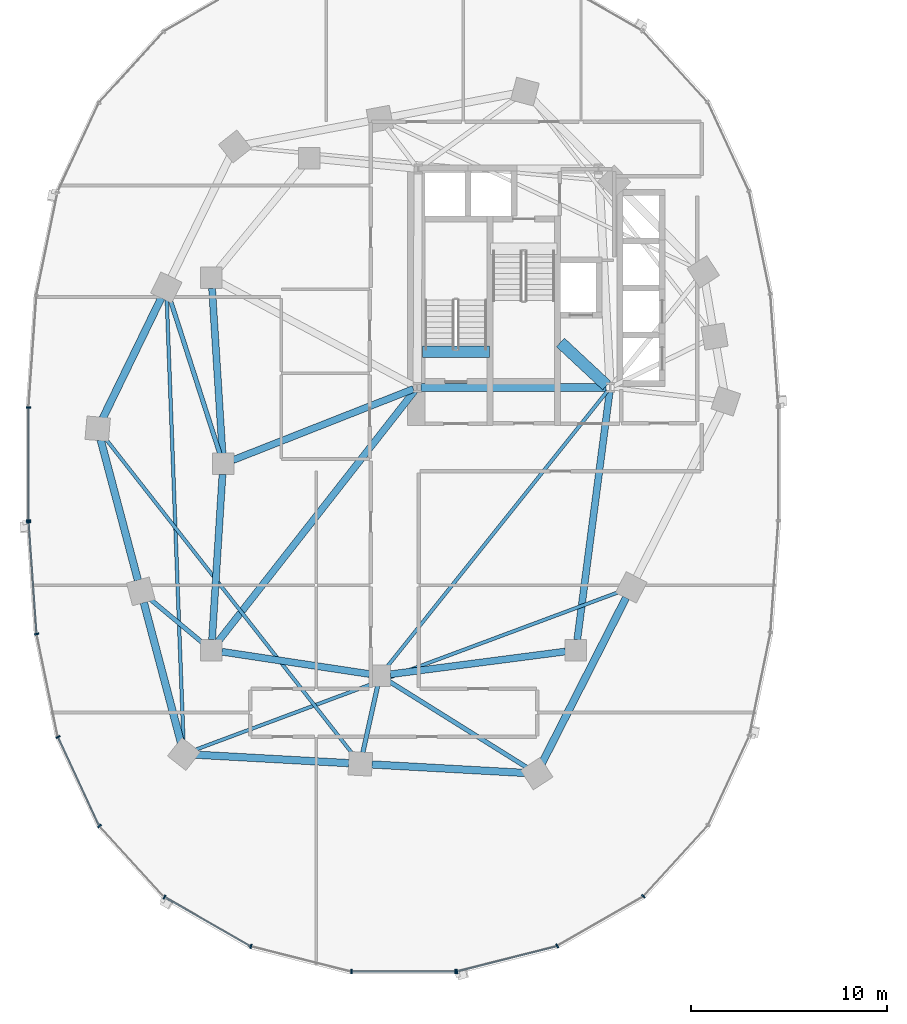
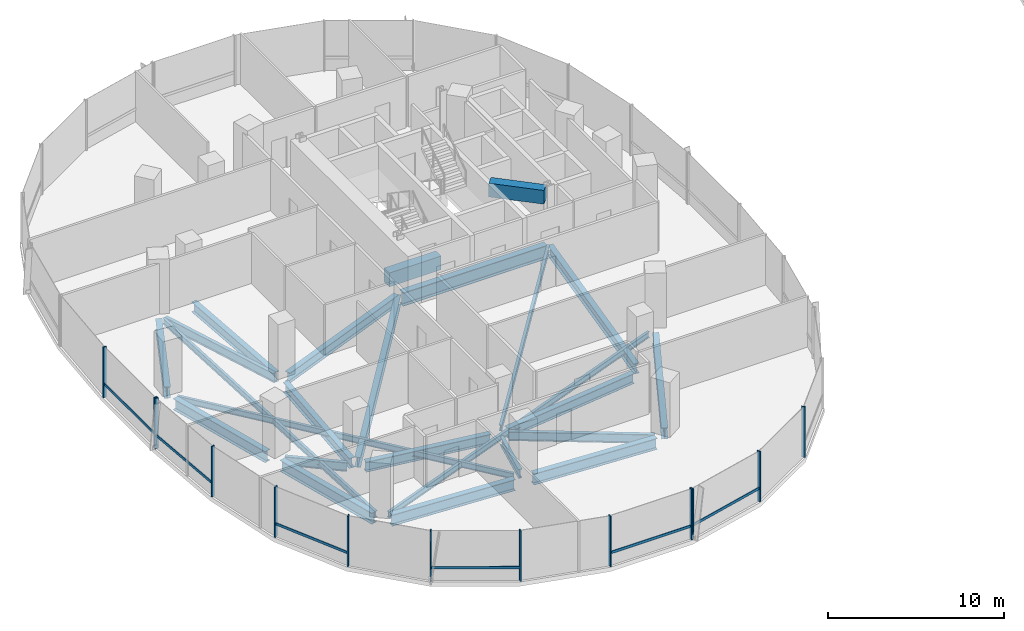
# One storey, part 2 of 22: 24 beams, 19 members, 3 elements without a shape of their own.
"""IFC4 building model written with IfcOpenShell, lengths in metres."""

import ifcopenshell
import ifcopenshell.guid

model = None  # the IFC model being written
_history = None  # IfcOwnerHistory: only IFC2X3 demands one
_inside = {}  # id of a spatial element -> (the spatial element, [elements in it])
_under = {}  # id of a project, library or spatial element -> (it, [spatial elements below it])
_declared = {}  # id of a project -> (the project, [libraries it declares])
_typed = {}  # id of a type object -> (the type object, [elements of that type])
_made_of = {}  # id of a material, layer set ... -> (it, [elements and type objects made of it])


def new_model(schema):
    """Start an empty IFC model of exactly this schema.

    Asked for "IFC4X3", IfcOpenShell would pick the latest addendum, in which some entities
    have other attributes; the version numbers below select the first issue.
    IFC2X3 requires an IfcOwnerHistory on every rooted entity: one is made here for all.
    """
    global model, _history
    if schema == "IFC4X3":
        model = ifcopenshell.file(schema_version=(4, 3, 0, 0))
    else:
        model = ifcopenshell.file(schema=schema)
    _inside.clear()
    _under.clear()
    _declared.clear()
    _typed.clear()
    _made_of.clear()
    _history = None
    if model.schema == "IFC2X3":
        org = make("IfcOrganization", Name="unknown")
        user = make(
            "IfcPersonAndOrganization",
            ThePerson=make("IfcPerson", FamilyName="unknown"),
            TheOrganization=org,
        )
        app = make(
            "IfcApplication",
            ApplicationDeveloper=org,
            Version="unknown",
            ApplicationFullName="unknown",
            ApplicationIdentifier="unknown",
        )
        _history = make(
            "IfcOwnerHistory",
            OwningUser=user,
            OwningApplication=app,
            ChangeAction="ADDED",
            CreationDate=0,
        )
    return model


def make(cls, **values):
    """One entity of the class cls with the attributes given. An attribute that is None is left unset."""
    return model.create_entity(
        cls, **{name: value for name, value in values.items() if value is not None}
    )


def rooted(cls, **values):
    """An entity with a GlobalId (a new one), such as an element, a storey or a relation."""
    return make(cls, GlobalId=ifcopenshell.guid.new(), OwnerHistory=_history, **values)


def si_unit(unit_type, name, prefix=None):
    """IfcSIUnit, for example si_unit("LENGTHUNIT", "METRE", prefix="MILLI")."""
    return make("IfcSIUnit", UnitType=unit_type, Prefix=prefix, Name=name)


def assignment(units):
    """IfcUnitAssignment: the units of a project."""
    return None if units is None else make("IfcUnitAssignment", Units=units)


def point(xyz):
    """IfcCartesianPoint."""
    return None if xyz is None else make("IfcCartesianPoint", Coordinates=xyz)


def direction(xyz):
    """IfcDirection."""
    return None if xyz is None else make("IfcDirection", DirectionRatios=xyz)


def frame(location, z_axis=None, x_axis=None):
    """IfcAxis2Placement3D, a coordinate frame: its origin and axes. An axis left out is left unset."""
    return make(
        "IfcAxis2Placement3D",
        Location=point(location),
        Axis=direction(z_axis),
        RefDirection=direction(x_axis),
    )


def frame_2d(location, x_axis=None):
    """IfcAxis2Placement2D, a coordinate frame in the plane: its origin and x axis."""
    return make(
        "IfcAxis2Placement2D", Location=point(location), RefDirection=direction(x_axis)
    )


def origin():
    """The frame at (0, 0, 0) with its axes left unset."""
    return frame((0.0, 0.0, 0.0))


def origin_2d():
    """The frame at (0, 0) in the plane with its x axis left unset."""
    return frame_2d((0.0, 0.0))


def place(relative_to, where):
    """IfcLocalPlacement: puts the frame where relative to a parent placement (None: the world)."""
    return make(
        "IfcLocalPlacement", PlacementRelTo=relative_to, RelativePlacement=where
    )


def context(
    kind, dimensions, precision=None, world=None, true_north=None, identifier=None
):
    """IfcGeometricRepresentationContext, for example the 3D "Model" context."""
    return make(
        "IfcGeometricRepresentationContext",
        ContextIdentifier=identifier,
        ContextType=kind,
        CoordinateSpaceDimension=dimensions,
        Precision=precision,
        WorldCoordinateSystem=world,
        TrueNorth=true_north,
    )


def subcontext(parent, identifier, kind, view, scale=None):
    """IfcGeometricRepresentationSubContext, for example "Body" below "Model"."""
    return make(
        "IfcGeometricRepresentationSubContext",
        ContextIdentifier=identifier,
        ContextType=kind,
        ParentContext=parent,
        TargetScale=scale,
        TargetView=view,
    )


def project(units=None, contexts=None):
    """IfcProject with its units and contexts."""
    return rooted(
        "IfcProject",
        Name="project",
        RepresentationContexts=contexts,
        UnitsInContext=assignment(units),
    )


def spatial(cls, under=None, at=None, **own):
    """A site, building, storey or space (cls), placed at a placement, below another one or the project."""
    s = rooted(cls, ObjectPlacement=at, **own)
    if under is not None:
        _under.setdefault(under.id(), (under, []))[1].append(s)
    return s


def profile(cls, at=None, kind="AREA", **sizes):
    """A parametric profile (cls). Its sizes go by their IFC names, for example OverallWidth=200.0."""
    return make(cls, ProfileType=kind, Position=at, **sizes)


def rectangle(**sizes):
    """IfcRectangleProfileDef."""
    return profile("IfcRectangleProfileDef", **sizes)


def i_section(**sizes):
    """IfcIShapeProfileDef."""
    return profile("IfcIShapeProfileDef", **sizes)


def extrude(swept, where, along, depth):
    """IfcExtrudedAreaSolid: the profile swept, set in the frame where, extruded along a direction by depth."""
    return make(
        "IfcExtrudedAreaSolid",
        SweptArea=swept,
        Position=where,
        ExtrudedDirection=direction(along),
        Depth=depth,
    )


def shape(context_of_items, identifier, shape_type, items):
    """IfcShapeRepresentation: the items that make up one representation, for example the "Body"."""
    return make(
        "IfcShapeRepresentation",
        ContextOfItems=context_of_items,
        RepresentationIdentifier=identifier,
        RepresentationType=shape_type,
        Items=items,
    )


def material(Name=None, Category=None):
    """IfcMaterial."""
    return make("IfcMaterial", Name=Name, Category=Category)


def material_profile(
    of_material, cross_section, Name=None, Category=None, Priority=None
):
    """IfcMaterialProfile: a cross section and its material."""
    return make(
        "IfcMaterialProfile",
        Name=Name,
        Material=of_material,
        Profile=cross_section,
        Priority=Priority,
        Category=Category,
    )


def profile_set(profiles, Name=None, composite=None):
    """IfcMaterialProfileSet."""
    return make(
        "IfcMaterialProfileSet",
        Name=Name,
        MaterialProfiles=profiles,
        CompositeProfile=composite,
    )


def made_of(thing, what):
    """Note that an element or type object is made of a material, layer set ...; save() writes the relation."""
    if what is not None:
        _made_of.setdefault(what.id(), (what, []))[1].append(thing)
    return thing


def type_object(cls, material=None, **own):
    """A type object (cls), such as IfcWallType, which elements share."""
    return made_of(rooted(cls, **own), material)


def element(
    cls,
    number,
    at=None,
    inside=None,
    cuts=None,
    type_object=None,
    material=None,
    context=None,
    identifier="Body",
    shape_type=None,
    held_by="IfcProductDefinitionShape",
    body=None,
    shapes=None,
    **own,
):
    """One element of the class cls, such as IfcWall. Its Tag is "e" and its number.

    at: its placement. inside: the storey or other place that contains it. cuts: it is an
    opening in that element (IfcRelVoidsElement). A single representation is given by context,
    identifier, shape_type and body (its items); several are given by shapes. held_by: the class
    of the entity that holds the representations. save() writes the other relations.
    """
    e = rooted(cls, Tag="e%d" % number, ObjectPlacement=at, **own)
    if body is not None:
        shapes = [shape(context, identifier, shape_type, body)]
    if shapes is not None:
        e.Representation = make(held_by, Representations=shapes)
    if inside is not None:
        _inside.setdefault(inside.id(), (inside, []))[1].append(e)
    if cuts is not None:
        rooted(
            "IfcRelVoidsElement", RelatingBuildingElement=cuts, RelatedOpeningElement=e
        )
    if type_object is not None:
        _typed.setdefault(type_object.id(), (type_object, []))[1].append(e)
    return made_of(e, material)


def aggregate(whole, parts):
    """IfcRelAggregates: a whole, such as a stair, and the parts it consists of."""
    return rooted("IfcRelAggregates", RelatingObject=whole, RelatedObjects=parts)


def save(model, path):
    """Write the relations noted so far, then the file.

    IfcRelAggregates (storeys below a building ...), IfcRelContainedInSpatialStructure (elements
    in a storey), IfcRelDefinesByType, IfcRelAssociatesMaterial and IfcRelDeclares: one each for
    every whole, place, type object, material and project.
    """
    for whole, parts in _under.values():
        aggregate(whole, parts)
    for where, things in _inside.values():
        rooted(
            "IfcRelContainedInSpatialStructure",
            RelatedElements=things,
            RelatingStructure=where,
        )
    for kind, things in _typed.values():
        rooted("IfcRelDefinesByType", RelatedObjects=things, RelatingType=kind)
    for what, things in _made_of.values():
        rooted("IfcRelAssociatesMaterial", RelatedObjects=things, RelatingMaterial=what)
    for by, libraries in _declared.values():
        rooted("IfcRelDeclares", RelatingContext=by, RelatedDefinitions=libraries)
    model.write(path)


model = new_model("IFC4")

# Units and contexts
model_context = context("Model", 3, precision=1e-05, world=origin(), true_north=direction((0.0, 1.0)))
body_context = subcontext(model_context, "Body", "Model", "MODEL_VIEW")
ifc_project = project(units=[si_unit("LENGTHUNIT", "METRE"), si_unit("AREAUNIT", "SQUARE_METRE"), si_unit("VOLUMEUNIT", "CUBIC_METRE"), si_unit("PLANEANGLEUNIT", "RADIAN"), si_unit("MASSUNIT", "GRAM", prefix="KILO"), si_unit("THERMODYNAMICTEMPERATUREUNIT", "KELVIN"), si_unit("POWERUNIT", "WATT")], contexts=[model_context])

# Site, building, storey
site_placement = place(None, origin())
site = spatial("IfcSite", under=ifc_project, at=site_placement, CompositionType="ELEMENT")
building_placement = place(site_placement, origin())
building = spatial("IfcBuilding", under=site, at=building_placement, Name="Cundina Bronze Exchange", CompositionType="ELEMENT")
storey_placement = place(building_placement, frame((0.0, 0.0, 43.0)))
storey = spatial("IfcBuildingStorey", under=building, at=storey_placement, Name="L10", CompositionType="ELEMENT", Elevation=43.0)

# Beams
ifc_material_1 = material(Name="Concrete C60/75", Category="concrete")
ifc_material_profile_1 = material_profile(ifc_material_1, rectangle(XDim=0.60009765625, YDim=0.949951171875, at=origin_2d()), Name="RC600X950", Category="concrete")
ifc_profile_set_1 = profile_set([ifc_material_profile_1], Name="Concrete C60/75")
beam_type_1 = type_object("IfcBeamType", Name="BM-COUP-RC950", PredefinedType="LINTEL", material=ifc_profile_set_1)
beam_1_placement = place(storey_placement, frame((-31.02001953125, 5.719970703125, -0.47509765625), z_axis=(1.0, 0.0, 0.0), x_axis=(0.0, 1.0, 0.0)))
element("IfcBeam", 1, at=beam_1_placement, inside=storey, type_object=beam_type_1, Name="L10 Stair W1 Landing Header Beam", PredefinedType="LINTEL", context=body_context, shape_type="SweptSolid", body=[
    extrude(rectangle(XDim=0.60009765625, YDim=0.949951171875, at=origin_2d()), origin(), (0.0, 0.0, 1.0), 3.39990234375),
])
beam_2_placement = place(storey_placement, frame((-23.989990234375, 6.199951171875, 3.02490234375), z_axis=(0.731490439815, -0.681851696822, 0.0), x_axis=(0.681851696822, 0.731490439815, 0.0)))
element("IfcBeam", 2, at=beam_2_placement, inside=storey, type_object=beam_type_1, Name="L10 W Core Shear Coupling Lintel Beam", PredefinedType="LINTEL", context=body_context, shape_type="SweptSolid", body=[
    extrude(rectangle(XDim=0.60009765625, YDim=0.949951171875, at=origin_2d()), origin(), (0.0, 0.0, 1.0), 3.226318359375),
])
ifc_material_2 = material(Name="Steel ASTM A992 Grade 50", Category="steel")
ifc_material_profile_2 = material_profile(ifc_material_2, i_section(OverallWidth=0.22998046875, OverallDepth=0.616943359375, WebThickness=0.01318359375, FlangeThickness=0.022216796875, FilletRadius=0.013916015625, at=origin_2d()), Name="W24X94", Category="steel")
ifc_profile_set_2 = profile_set([ifc_material_profile_2], Name="Steel ASTM A992 Grade 50")
beam_type_2 = type_object("IfcBeamType", Name="BM-FLR-W24B", PredefinedType="BEAM", material=ifc_profile_set_2)
beam_3_placement = place(storey_placement, frame((-41.364990234375, 0.51220703125, -0.6083984375), z_axis=(-0.306706454167, 0.951804155787, 0.0), x_axis=(-0.951804155787, -0.306706454167, 0.0)))
element("IfcBeam", 3, at=beam_3_placement, inside=storey, type_object=beam_type_2, Name="L10 Leg W Radial Floor Beam 07", PredefinedType="BEAM", context=body_context, shape_type="SweptSolid", body=[
    extrude(i_section(OverallWidth=0.22998046875, OverallDepth=0.616943359375, WebThickness=0.01318359375, FlangeThickness=0.022216796875, FilletRadius=0.013916015625, at=origin_2d()), origin(), (0.0, 0.0, 1.0), 8.329345703125),
])
beam_4_placement = place(storey_placement, frame((-42.21337890625, -9.155517578125, -0.6083984375), z_axis=(-0.768221279597, 0.640184399664, 0.0), x_axis=(-0.640184399664, -0.768221279597, 0.0)))
element("IfcBeam", 4, at=beam_4_placement, inside=storey, type_object=beam_type_2, Name="L10 Leg W Radial Floor Beam 09", PredefinedType="BEAM", context=body_context, shape_type="SweptSolid", body=[
    extrude(i_section(OverallWidth=0.22998046875, OverallDepth=0.616943359375, WebThickness=0.01318359375, FlangeThickness=0.022216796875, FilletRadius=0.013916015625, at=origin_2d()), origin(), (0.0, 0.0, 1.0), 3.56005859375),
])
beam_5_placement = place(storey_placement, frame((-33.316650390625, -11.3251953125, -0.6083984375), z_axis=(-0.216960137628, -0.976180464197, 0.0), x_axis=(0.976180464197, -0.216960137628, 0.0)))
element("IfcBeam", 5, at=beam_5_placement, inside=storey, type_object=beam_type_2, Name="L10 Leg W Radial Floor Beam 11", PredefinedType="BEAM", context=body_context, shape_type="SweptSolid", body=[
    extrude(i_section(OverallWidth=0.22998046875, OverallDepth=0.616943359375, WebThickness=0.01318359375, FlangeThickness=0.022216796875, FilletRadius=0.013916015625, at=origin_2d()), origin(), (0.0, 0.0, 1.0), 3.48388671875),
])
beam_6_placement = place(storey_placement, frame((-32.743896484375, -11.085205078125, -0.6083984375), z_axis=(0.848014812458, -0.529972525563, 0.0), x_axis=(0.529972525563, 0.848014812458, 0.0)))
element("IfcBeam", 6, at=beam_6_placement, inside=storey, type_object=beam_type_2, Name="L10 Leg W Radial Floor Beam 12", PredefinedType="BEAM", context=body_context, shape_type="SweptSolid", body=[
    extrude(i_section(OverallWidth=0.22998046875, OverallDepth=0.616943359375, WebThickness=0.01318359375, FlangeThickness=0.022216796875, FilletRadius=0.013916015625, at=origin_2d()), origin(), (0.0, 0.0, 1.0), 8.30810546875),
])
ifc_material_profile_3 = material_profile(ifc_material_2, i_section(OverallWidth=0.178955078125, OverallDepth=0.409912109375, WebThickness=0.0087890625, FlangeThickness=0.014404296875, FilletRadius=0.010986328125, at=origin_2d()), Name="W16X45", Category="steel")
ifc_profile_set_3 = profile_set([ifc_material_profile_3], Name="Steel ASTM A992 Grade 50")
beam_type_3 = type_object("IfcBeamType", Name="BM-JST-W16", PredefinedType="JOIST", material=ifc_profile_set_3)
beam_7_placement = place(storey_placement, frame((-21.577392578125, 3.740478515625, -0.5048828125), z_axis=(-0.62436887964, -0.781129632095, 0.0), x_axis=(0.781129632095, -0.62436887964, 0.0)))
element("IfcBeam", 7, at=beam_7_placement, inside=storey, type_object=beam_type_3, Name="L10 W Interior Core-to-Ring Joist 2", PredefinedType="JOIST", context=body_context, shape_type="SweptSolid", body=[
    extrude(i_section(OverallWidth=0.178955078125, OverallDepth=0.409912109375, WebThickness=0.0087890625, FlangeThickness=0.014404296875, FilletRadius=0.010986328125, at=origin_2d()), origin(), (0.0, 0.0, 1.0), 18.076904296875),
])
beam_8_placement = place(storey_placement, frame((-44.077880859375, 8.412353515625, -0.5048828125), z_axis=(0.037794949147, -0.999285515666, 0.0), x_axis=(0.999285515666, 0.037794949147, 0.0)))
element("IfcBeam", 8, at=beam_8_placement, inside=storey, type_object=beam_type_3, Name="L10 Leg W Lobe Floor Joist 07-10", PredefinedType="JOIST", context=body_context, shape_type="SweptSolid", body=[
    extrude(i_section(OverallWidth=0.178955078125, OverallDepth=0.409912109375, WebThickness=0.0087890625, FlangeThickness=0.014404296875, FilletRadius=0.010986328125, at=origin_2d()), origin(), (0.0, 0.0, 1.0), 22.640869140625),
])
beam_9_placement = place(storey_placement, frame((-47.2373046875, 1.337158203125, -0.5048828125), z_axis=(0.616803089524, -0.787117493614, 0.0), x_axis=(0.787117493614, 0.616803089524, 0.0)))
element("IfcBeam", 9, at=beam_9_placement, inside=storey, type_object=beam_type_3, Name="L10 Leg W Lobe Floor Joist 08-11", PredefinedType="JOIST", context=body_context, shape_type="SweptSolid", body=[
    extrude(i_section(OverallWidth=0.178955078125, OverallDepth=0.409912109375, WebThickness=0.0087890625, FlangeThickness=0.014404296875, FilletRadius=0.010986328125, at=origin_2d()), origin(), (0.0, 0.0, 1.0), 20.548828125),
])
beam_10_placement = place(storey_placement, frame((-42.64892578125, -14.5947265625, -0.5048828125), z_axis=(0.937127912449, 0.348986068074, 0.0), x_axis=(-0.348986068074, 0.937127912449, 0.0)))
element("IfcBeam", 10, at=beam_10_placement, inside=storey, type_object=beam_type_3, Name="L10 Leg W Lobe Floor Joist 10-13", PredefinedType="JOIST", context=body_context, shape_type="SweptSolid", body=[
    extrude(i_section(OverallWidth=0.178955078125, OverallDepth=0.409912109375, WebThickness=0.0087890625, FlangeThickness=0.014404296875, FilletRadius=0.010986328125, at=origin_2d()), origin(), (0.0, 0.0, 1.0), 23.18017578125),
])
ifc_material_profile_4 = material_profile(ifc_material_2, i_section(OverallWidth=0.35498046875, OverallDepth=0.695068359375, WebThickness=0.015380859375, FlangeThickness=0.02490234375, FilletRadius=0.01806640625, at=origin_2d()), Name="W27X146", Category="steel")
ifc_profile_set_4 = profile_set([ifc_material_profile_4], Name="Steel ASTM A992 Grade 50")
beam_type_4 = type_object("IfcBeamType", Name="BM-RING-W27", PredefinedType="USERDEFINED", material=ifc_profile_set_4)
for number, where, z_axis, x_axis, name in (
    (11, (-41.76611328125, 8.963134765625, -0.6474609375), (0.06303715519, -0.998011180832, 0.0), (0.998011180832, 0.06303715519, 0.0), "L10 W Inner Structural Ring Girder 03"),
    (12, (-41.23388671875, -0.536865234375, -0.6474609375), (-0.06303715519, -0.998011180832, 0.0), (0.998011180832, -0.06303715519, 0.0), "L10 W Inner Structural Ring Girder 04"),
):
    element("IfcBeam", number, at=place(storey_placement, frame(where, z_axis=z_axis, x_axis=x_axis)), inside=storey, type_object=beam_type_4, Name=name, ObjectType="GIRDER", PredefinedType="USERDEFINED", context=body_context, shape_type="SweptSolid", body=[
        extrude(i_section(OverallWidth=0.35498046875, OverallDepth=0.695068359375, WebThickness=0.015380859375, FlangeThickness=0.02490234375, FilletRadius=0.01806640625, at=origin_2d()), origin(), (0.0, 0.0, 1.0), 8.443115234375),
    ])
beam_11_placement = place(storey_placement, frame((-41.26806640625, -9.580322265625, -0.6474609375), z_axis=(0.988767489563, -0.149461873341, 0.0), x_axis=(0.149461873341, 0.988767489563, 0.0)))
element("IfcBeam", 13, at=beam_11_placement, inside=storey, type_object=beam_type_4, Name="L10 W Inner Structural Ring Girder 05", ObjectType="GIRDER", PredefinedType="USERDEFINED", context=body_context, shape_type="SweptSolid", body=[
    extrude(i_section(OverallWidth=0.35498046875, OverallDepth=0.695068359375, WebThickness=0.015380859375, FlangeThickness=0.02490234375, FilletRadius=0.01806640625, at=origin_2d()), origin(), (0.0, 0.0, 1.0), 7.621826171875),
])
beam_12_placement = place(storey_placement, frame((-32.66650390625, -10.730712890625, -0.6474609375), z_axis=(0.991654577907, 0.128923225666, 0.0), x_axis=(-0.128923225666, 0.991654577907, 0.0)))
element("IfcBeam", 14, at=beam_12_placement, inside=storey, type_object=beam_type_4, Name="L10 W Inner Structural Ring Girder 06", ObjectType="GIRDER", PredefinedType="USERDEFINED", context=body_context, shape_type="SweptSolid", body=[
    extrude(i_section(OverallWidth=0.35498046875, OverallDepth=0.695068359375, WebThickness=0.015380859375, FlangeThickness=0.02490234375, FilletRadius=0.01806640625, at=origin_2d()), origin(), (0.0, 0.0, 1.0), 9.00830078125),
])
beam_13_placement = place(storey_placement, frame((-23.13037109375, -8.966552734375, -0.6474609375), z_axis=(0.129507526533, 0.99157843894, 0.0), x_axis=(-0.99157843894, 0.129507526533, 0.0)))
element("IfcBeam", 15, at=beam_13_placement, inside=storey, type_object=beam_type_4, Name="L10 W Inner Structural Ring Girder 07", ObjectType="GIRDER", PredefinedType="USERDEFINED", context=body_context, shape_type="SweptSolid", body=[
    extrude(i_section(OverallWidth=0.35498046875, OverallDepth=0.695068359375, WebThickness=0.015380859375, FlangeThickness=0.02490234375, FilletRadius=0.01806640625, at=origin_2d()), origin(), (0.0, 0.0, 1.0), 12.77197265625),
])
beam_14_placement = place(storey_placement, frame((-31.48974609375, 3.8251953125, -0.6474609375), z_axis=(-0.930413235418, -0.366512225388, 0.0), x_axis=(0.366512225388, -0.930413235418, 0.0)))
element("IfcBeam", 16, at=beam_14_placement, inside=storey, type_object=beam_type_4, Name="L10 W Core-to-Waist Tie Beam 1", ObjectType="GIRDER", PredefinedType="USERDEFINED", context=body_context, shape_type="SweptSolid", body=[
    extrude(i_section(OverallWidth=0.35498046875, OverallDepth=0.695068359375, WebThickness=0.015380859375, FlangeThickness=0.02490234375, FilletRadius=0.01806640625, at=origin_2d()), origin(), (0.0, 0.0, 1.0), 9.8984375),
])
beam_15_placement = place(storey_placement, frame((-31.42578125, 3.739501953125, -0.6474609375), z_axis=(-0.616789275748, -0.787128318206, 0.0), x_axis=(0.787128318206, -0.616789275748, 0.0)))
element("IfcBeam", 17, at=beam_15_placement, inside=storey, type_object=beam_type_4, Name="L10 W Core-to-Waist Tie Beam 3", ObjectType="GIRDER", PredefinedType="USERDEFINED", context=body_context, shape_type="SweptSolid", body=[
    extrude(i_section(OverallWidth=0.35498046875, OverallDepth=0.695068359375, WebThickness=0.015380859375, FlangeThickness=0.02490234375, FilletRadius=0.01806640625, at=origin_2d()), origin(), (0.0, 0.0, 1.0), 16.281982421875),
])
ifc_material_profile_5 = material_profile(ifc_material_2, i_section(OverallWidth=0.381103515625, OverallDepth=0.77294921875, WebThickness=0.0166015625, FlangeThickness=0.027099609375, FilletRadius=0.01904296875, at=origin_2d()), Name="W30X173", Category="steel")
ifc_profile_set_5 = profile_set([ifc_material_profile_5], Name="Steel ASTM A992 Grade 50")
beam_type_5 = type_object("IfcBeamType", Name="BM-RING-W30", PredefinedType="USERDEFINED", material=ifc_profile_set_5)
beam_16_placement = place(storey_placement, frame((-44.357177734375, 8.47119140625, -0.6865234375), z_axis=(-0.437190698904, -0.899368830231, 0.0), x_axis=(0.899368830231, -0.437190698904, 0.0)))
element("IfcBeam", 18, at=beam_16_placement, inside=storey, type_object=beam_type_5, Name="L10 W Perimeter Ring Girder 07", ObjectType="GIRDER", PredefinedType="USERDEFINED", context=body_context, shape_type="SweptSolid", body=[
    extrude(i_section(OverallWidth=0.381103515625, OverallDepth=0.77294921875, WebThickness=0.0166015625, FlangeThickness=0.027099609375, FilletRadius=0.01904296875, at=origin_2d()), origin(), (0.0, 0.0, 1.0), 6.82958984375),
])
for number, where, z_axis, x_axis, name in (
    (19, (-47.44921875, 1.231689453125, -0.6865234375), (0.256177785604, -0.966629682021, 0.0), (0.966629682021, 0.256177785604, 0.0), "L10 W Perimeter Ring Girder 08"),
    (20, (-45.249267578125, -7.068359375, -0.6865234375), (0.256208567826, -0.966621523541, 0.0), (0.966621523541, 0.256208567826, 0.0), "L10 W Perimeter Ring Girder 09"),
):
    element("IfcBeam", number, at=place(storey_placement, frame(where, z_axis=z_axis, x_axis=x_axis)), inside=storey, type_object=beam_type_5, Name=name, ObjectType="GIRDER", PredefinedType="USERDEFINED", context=body_context, shape_type="SweptSolid", body=[
        extrude(i_section(OverallWidth=0.381103515625, OverallDepth=0.77294921875, WebThickness=0.0166015625, FlangeThickness=0.027099609375, FilletRadius=0.01904296875, at=origin_2d()), origin(), (0.0, 0.0, 1.0), 7.41064453125),
    ])
for number, where, z_axis, x_axis, name in (
    (21, (-42.61279296875, -14.83251953125, -0.6865234375), (0.998459969805, -0.055476920391, 0.0), (0.055476920391, 0.998459969805, 0.0), "L10 W Perimeter Ring Girder 10"),
    (22, (-33.61279296875, -15.33251953125, -0.6865234375), (0.998459969805, -0.055476920391, 0.0), (0.055476920391, 0.998459969805, 0.0), "L10 W Perimeter Ring Girder 11"),
):
    element("IfcBeam", number, at=place(storey_placement, frame(where, z_axis=z_axis, x_axis=x_axis)), inside=storey, type_object=beam_type_5, Name=name, ObjectType="GIRDER", PredefinedType="USERDEFINED", context=body_context, shape_type="SweptSolid", body=[
        extrude(i_section(OverallWidth=0.381103515625, OverallDepth=0.77294921875, WebThickness=0.0166015625, FlangeThickness=0.027099609375, FilletRadius=0.01904296875, at=origin_2d()), origin(), (0.0, 0.0, 1.0), 7.837646484375),
    ])
beam_17_placement = place(storey_placement, frame((-24.93359375, -15.275634765625, -0.6865234375), z_axis=(0.452819633606, 0.891602141889, 0.0), x_axis=(-0.891602141889, 0.452819633606, 0.0)))
element("IfcBeam", 23, at=beam_17_placement, inside=storey, type_object=beam_type_5, Name="L10 W Perimeter Ring Girder 12", ObjectType="GIRDER", PredefinedType="USERDEFINED", context=body_context, shape_type="SweptSolid", body=[
    extrude(i_section(OverallWidth=0.381103515625, OverallDepth=0.77294921875, WebThickness=0.0166015625, FlangeThickness=0.027099609375, FilletRadius=0.01904296875, at=origin_2d()), origin(), (0.0, 0.0, 1.0), 9.47900390625),
])
ifc_material_profile_6 = material_profile(ifc_material_2, i_section(OverallWidth=0.41796875, OverallDepth=0.927001953125, WebThickness=0.019287109375, FlangeThickness=0.031982421875, FilletRadius=0.02392578125, at=origin_2d()), Name="W36X231", Category="steel")
ifc_profile_set_6 = profile_set([ifc_material_profile_6], Name="Steel ASTM A992 Grade 50")
beam_type_6 = type_object("IfcBeamType", Name="BM-WRN-W36B", PredefinedType="USERDEFINED", material=ifc_profile_set_6)
beam_18_placement = place(storey_placement, frame((-31.095947265625, 3.89990234375, -0.763427734375), z_axis=(1.0, 0.0, 0.0), x_axis=(0.0, 1.0, 0.0)))
element("IfcBeam", 24, at=beam_18_placement, inside=storey, type_object=beam_type_6, Name="L10 W Core Perimeter Tie Girder 1", ObjectType="GIRDER", PredefinedType="USERDEFINED", context=body_context, shape_type="SweptSolid", body=[
    extrude(i_section(OverallWidth=0.41796875, OverallDepth=0.927001953125, WebThickness=0.019287109375, FlangeThickness=0.031982421875, FilletRadius=0.02392578125, at=origin_2d()), origin(), (0.0, 0.0, 1.0), 9.44189453125),
])

# Curtain wall, members
ifc_material_3 = material(Name="Anodised Bronze Aluminium 6063-T6", Category="aluminium")
curtain_wall_type = type_object("IfcCurtainWallType", Name="CWS-TRD-LOW", PredefinedType="NOTDEFINED", material=ifc_material_3)
curtain_wall_1_placement = place(storey_placement, origin())
curtain_wall_1 = element("IfcCurtainWall", 25, at=curtain_wall_1_placement, inside=storey, type_object=curtain_wall_type, Name="L10 CW-02 Curtain Wall Run CWR-L10-W2", PredefinedType="NOTDEFINED")
ifc_material_profile_7 = material_profile(ifc_material_3, rectangle(XDim=0.074951171875, YDim=0.219970703125, at=origin_2d()), Name="AL75X220", Category="aluminium")
ifc_profile_set_7 = profile_set([ifc_material_profile_7], Name="Anodised Bronze Aluminium 6063-T6")
member_type_1 = type_object("IfcMemberType", Name="CWM-MUL-220", PredefinedType="MULLION", material=ifc_profile_set_7)
member_1_placement = place(storey_placement, frame((-51.1279296875, 2.880615234375, 0.0), z_axis=(0.0, 0.0, 1.0), x_axis=(0.0, -1.0, 0.0)))
member_1 = element("IfcMember", 26, at=member_1_placement, type_object=member_type_1, Name="CW-02 Mullion 7", PredefinedType="MULLION", context=body_context, shape_type="SweptSolid", body=[
    extrude(rectangle(XDim=0.074951171875, YDim=0.219970703125, at=origin_2d()), origin(), (0.0, 0.0, 1.0), 3.5),
])
member_2_placement = place(storey_placement, frame((-51.1279296875, -2.880615234375, 0.0), z_axis=(0.0, 0.0, 1.0), x_axis=(0.0, -1.0, 0.0)))
member_2 = element("IfcMember", 27, at=member_2_placement, type_object=member_type_1, Name="CW-02 End Mullion", PredefinedType="MULLION", context=body_context, shape_type="SweptSolid", body=[
    extrude(rectangle(XDim=0.074951171875, YDim=0.219970703125, at=origin_2d()), origin(), (0.0, 0.0, 1.0), 3.5),
])

curtain_wall_2_placement = place(storey_placement, origin())
curtain_wall_2 = element("IfcCurtainWall", 28, at=curtain_wall_2_placement, inside=storey, type_object=curtain_wall_type, Name="L10 CW-02 Curtain Wall Run CWR-L10-W3", PredefinedType="NOTDEFINED")
member_3_placement = place(storey_placement, frame((-51.12451171875, -2.976318359375, 0.0), z_axis=(0.0, 0.0, 1.0), x_axis=(0.070278787473, -0.997527389113, 0.0)))
member_3 = element("IfcMember", 29, at=member_3_placement, type_object=member_type_1, Name="CW-02 Mullion 1", PredefinedType="MULLION", context=body_context, shape_type="SweptSolid", body=[
    extrude(rectangle(XDim=0.074951171875, YDim=0.219970703125, at=origin_2d()), origin(), (0.0, 0.0, 1.0), 3.5),
])
member_4_placement = place(storey_placement, frame((-50.717041015625, -8.67822265625, 0.0), z_axis=(0.0, 0.0, 1.0), x_axis=(0.201419845156, -0.979505000486, 0.0)))
member_4 = element("IfcMember", 30, at=member_4_placement, type_object=member_type_1, Name="CW-02 Mullion 2", PredefinedType="MULLION", context=body_context, shape_type="SweptSolid", body=[
    extrude(rectangle(XDim=0.074951171875, YDim=0.219970703125, at=origin_2d()), origin(), (0.0, 0.0, 1.0), 3.5),
])
member_5_placement = place(storey_placement, frame((-49.6279296875, -13.931884765625, 0.0), z_axis=(0.0, 0.0, 1.0), x_axis=(0.42087749791, -0.907117485088, 0.0)))
member_5 = element("IfcMember", 31, at=member_5_placement, type_object=member_type_1, Name="CW-02 Mullion 3", PredefinedType="MULLION", context=body_context, shape_type="SweptSolid", body=[
    extrude(rectangle(XDim=0.074951171875, YDim=0.219970703125, at=origin_2d()), origin(), (0.0, 0.0, 1.0), 3.5),
])
member_6_placement = place(storey_placement, frame((-47.508544921875, -18.47705078125, 0.0), z_axis=(0.0, 0.0, 1.0), x_axis=(0.674302387584, -0.738455340626, 0.0)))
member_6 = element("IfcMember", 32, at=member_6_placement, type_object=member_type_1, Name="CW-02 Mullion 4", PredefinedType="MULLION", context=body_context, shape_type="SweptSolid", body=[
    extrude(rectangle(XDim=0.074951171875, YDim=0.219970703125, at=origin_2d()), origin(), (0.0, 0.0, 1.0), 3.5),
])
member_7_placement = place(storey_placement, frame((-44.189697265625, -22.097412109375, 0.0), z_axis=(0.0, 0.0, 1.0), x_axis=(0.867070701164, -0.498185105339, 0.0)))
member_7 = element("IfcMember", 33, at=member_7_placement, type_object=member_type_1, Name="CW-02 Mullion 5", PredefinedType="MULLION", context=body_context, shape_type="SweptSolid", body=[
    extrude(rectangle(XDim=0.074951171875, YDim=0.219970703125, at=origin_2d()), origin(), (0.0, 0.0, 1.0), 3.5),
])
member_8_placement = place(storey_placement, frame((-39.78515625, -24.61669921875, 0.0), z_axis=(0.0, 0.0, 1.0), x_axis=(0.969488149345, -0.245138182011, 0.0)))
member_8 = element("IfcMember", 34, at=member_8_placement, type_object=member_type_1, Name="CW-02 Mullion 6", PredefinedType="MULLION", context=body_context, shape_type="SweptSolid", body=[
    extrude(rectangle(XDim=0.074951171875, YDim=0.219970703125, at=origin_2d()), origin(), (0.0, 0.0, 1.0), 3.5),
])
member_9_placement = place(storey_placement, frame((-34.654541015625, -25.905029296875, 0.0), z_axis=(0.0, 0.0, 1.0), x_axis=(1.0, 0.0, 0.0)))
member_9 = element("IfcMember", 35, at=member_9_placement, type_object=member_type_1, Name="CW-02 Mullion 7", PredefinedType="MULLION", context=body_context, shape_type="SweptSolid", body=[
    extrude(rectangle(XDim=0.074951171875, YDim=0.219970703125, at=origin_2d()), origin(), (0.0, 0.0, 1.0), 3.5),
])
member_10_placement = place(storey_placement, frame((-29.345458984375, -25.905029296875, 0.0), z_axis=(0.0, 0.0, 1.0), x_axis=(1.0, 0.0, 0.0)))
member_10 = element("IfcMember", 36, at=member_10_placement, type_object=member_type_1, Name="CW-02 End Mullion", PredefinedType="MULLION", context=body_context, shape_type="SweptSolid", body=[
    extrude(rectangle(XDim=0.074951171875, YDim=0.219970703125, at=origin_2d()), origin(), (0.0, 0.0, 1.0), 3.5),
])

curtain_wall_3_placement = place(storey_placement, origin())
curtain_wall_3 = element("IfcCurtainWall", 37, at=curtain_wall_3_placement, inside=storey, type_object=curtain_wall_type, Name="L10 CW-02 Curtain Wall Run CWR-L10-W4", PredefinedType="NOTDEFINED")
member_11_placement = place(storey_placement, frame((-29.27392578125, -25.89599609375, 0.0), z_axis=(0.0, 0.0, 1.0), x_axis=(0.969488149345, 0.245138182011, 0.0)))
member_11 = element("IfcMember", 38, at=member_11_placement, type_object=member_type_1, Name="CW-02 Mullion 1", PredefinedType="MULLION", context=body_context, shape_type="SweptSolid", body=[
    extrude(rectangle(XDim=0.074951171875, YDim=0.219970703125, at=origin_2d()), origin(), (0.0, 0.0, 1.0), 3.5),
])
member_12_placement = place(storey_placement, frame((-24.151123046875, -24.591064453125, 0.0), z_axis=(0.0, 0.0, 1.0), x_axis=(0.867070701164, 0.498185105339, 0.0)))
member_12 = element("IfcMember", 39, at=member_12_placement, type_object=member_type_1, Name="CW-02 Mullion 2", PredefinedType="MULLION", context=body_context, shape_type="SweptSolid", body=[
    extrude(rectangle(XDim=0.074951171875, YDim=0.219970703125, at=origin_2d()), origin(), (0.0, 0.0, 1.0), 3.5),
])
member_13_placement = place(storey_placement, frame((-19.760498046875, -22.0576171875, 0.0), z_axis=(0.0, 0.0, 1.0), x_axis=(0.674302387584, 0.738455340626, 0.0)))
member_13 = element("IfcMember", 40, at=member_13_placement, type_object=member_type_1, Name="CW-02 Mullion 3", PredefinedType="MULLION", context=body_context, shape_type="SweptSolid", body=[
    extrude(rectangle(XDim=0.074951171875, YDim=0.219970703125, at=origin_2d()), origin(), (0.0, 0.0, 1.0), 3.5),
])

# Member
ifc_material_profile_8 = material_profile(ifc_material_3, rectangle(XDim=0.070068359375, YDim=0.179931640625, at=origin_2d()), Name="AL70X180", Category="aluminium")
ifc_profile_set_8 = profile_set([ifc_material_profile_8], Name="Anodised Bronze Aluminium 6063-T6")
member_type_2 = type_object("IfcMemberType", Name="CWM-TRN-180", PredefinedType="USERDEFINED", material=ifc_profile_set_8)
member_14_placement = place(storey_placement, frame((-51.1279296875, 2.839111328125, 0.919921875), z_axis=(0.0, -1.0, 0.0), x_axis=(1.0, 0.0, 0.0)))
member_14 = element("IfcMember", 41, at=member_14_placement, type_object=member_type_2, Name="CW-02 Spandrel Transom 7", ObjectType="TRANSOM", PredefinedType="USERDEFINED", context=body_context, shape_type="SweptSolid", body=[
    extrude(rectangle(XDim=0.070068359375, YDim=0.179931640625, at=origin_2d()), origin(), (0.0, 0.0, 1.0), 5.67822265625),
])

aggregate(curtain_wall_1, [member_1, member_2, member_14])

member_15_placement = place(storey_placement, frame((-51.12158203125, -3.017333984375, 0.919921875), z_axis=(0.070260714471, -0.997528662246, 0.0), x_axis=(0.997528662246, 0.070260714471, 0.0)))
member_15 = element("IfcMember", 42, at=member_15_placement, type_object=member_type_2, Name="CW-02 Spandrel Transom 1", ObjectType="TRANSOM", PredefinedType="USERDEFINED", context=body_context, shape_type="SweptSolid", body=[
    extrude(rectangle(XDim=0.070068359375, YDim=0.179931640625, at=origin_2d()), origin(), (0.0, 0.0, 1.0), 5.629150390625),
])

member_16_placement = place(storey_placement, frame((-49.610595703125, -13.96923828125, 0.919921875), z_axis=(0.420811422796, -0.907148139195, 0.0), x_axis=(0.907148139195, 0.420811422796, 0.0)))
member_16 = element("IfcMember", 43, at=member_16_placement, type_object=member_type_2, Name="CW-02 Spandrel Transom 3", ObjectType="TRANSOM", PredefinedType="USERDEFINED", context=body_context, shape_type="SweptSolid", body=[
    extrude(rectangle(XDim=0.070068359375, YDim=0.179931640625, at=origin_2d()), origin(), (0.0, 0.0, 1.0), 4.95166015625),
])

member_17_placement = place(storey_placement, frame((-44.154052734375, -22.117919921875, 0.919921875), z_axis=(0.867097475651, -0.498138502546, 0.0), x_axis=(0.498138502546, 0.867097475651, 0.0)))
member_17 = element("IfcMember", 44, at=member_17_placement, type_object=member_type_2, Name="CW-02 Spandrel Transom 5", ObjectType="TRANSOM", PredefinedType="USERDEFINED", context=body_context, shape_type="SweptSolid", body=[
    extrude(rectangle(XDim=0.070068359375, YDim=0.179931640625, at=origin_2d()), origin(), (0.0, 0.0, 1.0), 5.00634765625),
])

member_18_placement = place(storey_placement, frame((-34.61328125, -25.905029296875, 0.919921875), z_axis=(1.0, 0.0, 0.0), x_axis=(0.0, 1.0, 0.0)))
member_18 = element("IfcMember", 45, at=member_18_placement, type_object=member_type_2, Name="CW-02 Spandrel Transom 7", ObjectType="TRANSOM", PredefinedType="USERDEFINED", context=body_context, shape_type="SweptSolid", body=[
    extrude(rectangle(XDim=0.070068359375, YDim=0.179931640625, at=origin_2d()), origin(), (0.0, 0.0, 1.0), 5.2265625),
])

aggregate(curtain_wall_2, [member_3, member_15, member_4, member_5, member_16, member_6, member_7, member_17, member_8, member_9, member_10, member_18])

member_19_placement = place(storey_placement, frame((-29.23388671875, -25.885986328125, 0.919921875), z_axis=(0.969483968866, 0.245154714644, 0.0), x_axis=(-0.245154714644, 0.969483968866, 0.0)))
member_19 = element("IfcMember", 46, at=member_19_placement, type_object=member_type_2, Name="CW-02 Spandrel Transom 1", ObjectType="TRANSOM", PredefinedType="USERDEFINED", context=body_context, shape_type="SweptSolid", body=[
    extrude(rectangle(XDim=0.070068359375, YDim=0.179931640625, at=origin_2d()), origin(), (0.0, 0.0, 1.0), 5.21826171875),
])

aggregate(curtain_wall_3, [member_11, member_19, member_12, member_13])

save(model, "model.ifc")
